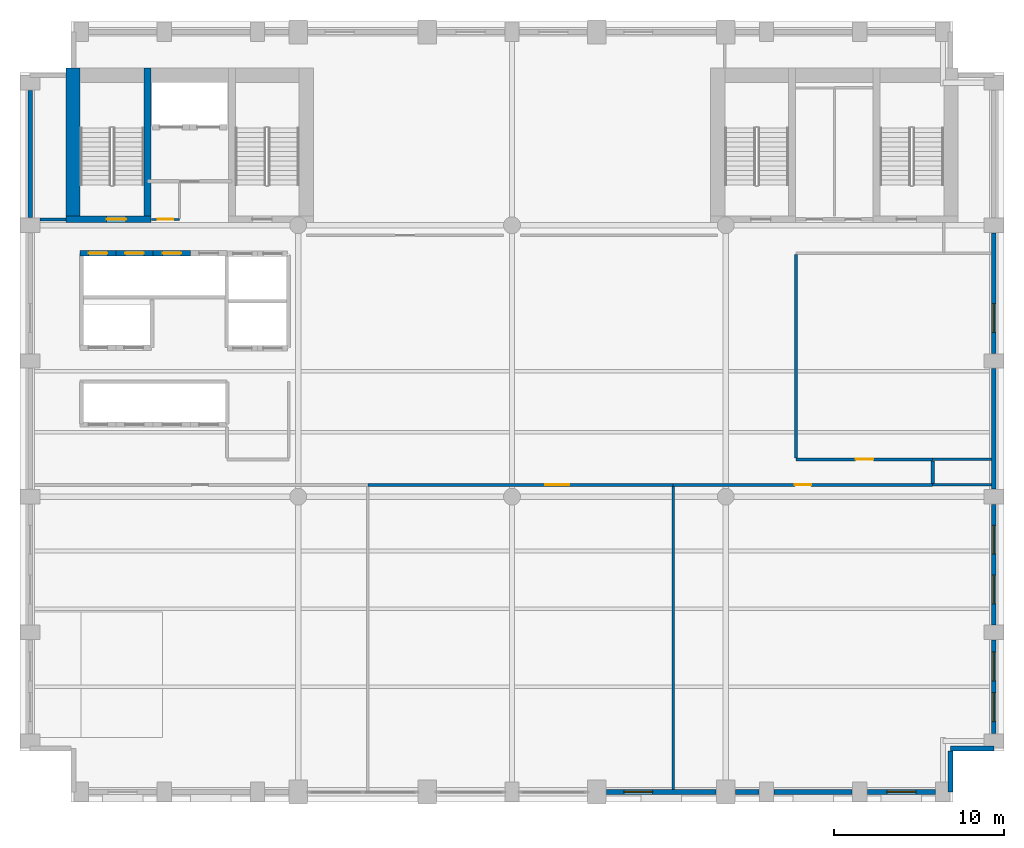
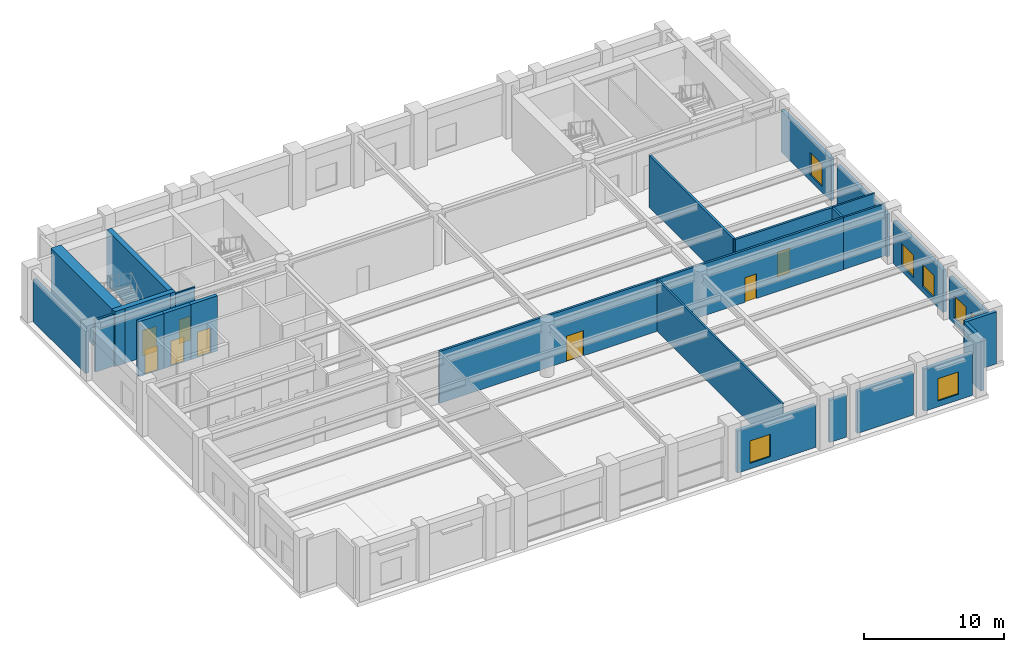
# One storey, part 5 of 10: 27 walls, 8 doors, 7 windows, 15 openings.
"""IFC4 building model written with IfcOpenShell, lengths in metres."""

import ifcopenshell
import ifcopenshell.guid

model = None  # the IFC model being written
_history = None  # IfcOwnerHistory: only IFC2X3 demands one
_inside = {}  # id of a spatial element -> (the spatial element, [elements in it])
_under = {}  # id of a project, library or spatial element -> (it, [spatial elements below it])
_declared = {}  # id of a project -> (the project, [libraries it declares])
_typed = {}  # id of a type object -> (the type object, [elements of that type])
_made_of = {}  # id of a material, layer set ... -> (it, [elements and type objects made of it])


def new_model(schema):
    """Start an empty IFC model of exactly this schema.

    Asked for "IFC4X3", IfcOpenShell would pick the latest addendum, in which some entities
    have other attributes; the version numbers below select the first issue.
    IFC2X3 requires an IfcOwnerHistory on every rooted entity: one is made here for all.
    """
    global model, _history
    if schema == "IFC4X3":
        model = ifcopenshell.file(schema_version=(4, 3, 0, 0))
    else:
        model = ifcopenshell.file(schema=schema)
    _inside.clear()
    _under.clear()
    _declared.clear()
    _typed.clear()
    _made_of.clear()
    _history = None
    if model.schema == "IFC2X3":
        org = make("IfcOrganization", Name="unknown")
        user = make(
            "IfcPersonAndOrganization",
            ThePerson=make("IfcPerson", FamilyName="unknown"),
            TheOrganization=org,
        )
        app = make(
            "IfcApplication",
            ApplicationDeveloper=org,
            Version="unknown",
            ApplicationFullName="unknown",
            ApplicationIdentifier="unknown",
        )
        _history = make(
            "IfcOwnerHistory",
            OwningUser=user,
            OwningApplication=app,
            ChangeAction="ADDED",
            CreationDate=0,
        )
    return model


def make(cls, **values):
    """One entity of the class cls with the attributes given. An attribute that is None is left unset."""
    return model.create_entity(
        cls, **{name: value for name, value in values.items() if value is not None}
    )


def rooted(cls, **values):
    """An entity with a GlobalId (a new one), such as an element, a storey or a relation."""
    return make(cls, GlobalId=ifcopenshell.guid.new(), OwnerHistory=_history, **values)


def si_unit(unit_type, name, prefix=None):
    """IfcSIUnit, for example si_unit("LENGTHUNIT", "METRE", prefix="MILLI")."""
    return make("IfcSIUnit", UnitType=unit_type, Prefix=prefix, Name=name)


def assignment(units):
    """IfcUnitAssignment: the units of a project."""
    return None if units is None else make("IfcUnitAssignment", Units=units)


def point(xyz):
    """IfcCartesianPoint."""
    return None if xyz is None else make("IfcCartesianPoint", Coordinates=xyz)


def direction(xyz):
    """IfcDirection."""
    return None if xyz is None else make("IfcDirection", DirectionRatios=xyz)


def frame(location, z_axis=None, x_axis=None):
    """IfcAxis2Placement3D, a coordinate frame: its origin and axes. An axis left out is left unset."""
    return make(
        "IfcAxis2Placement3D",
        Location=point(location),
        Axis=direction(z_axis),
        RefDirection=direction(x_axis),
    )


def frame_2d(location, x_axis=None):
    """IfcAxis2Placement2D, a coordinate frame in the plane: its origin and x axis."""
    return make(
        "IfcAxis2Placement2D", Location=point(location), RefDirection=direction(x_axis)
    )


def origin():
    """The frame at (0, 0, 0) with its axes left unset."""
    return frame((0.0, 0.0, 0.0))


def place(relative_to, where):
    """IfcLocalPlacement: puts the frame where relative to a parent placement (None: the world)."""
    return make(
        "IfcLocalPlacement", PlacementRelTo=relative_to, RelativePlacement=where
    )


def context(
    kind, dimensions, precision=None, world=None, true_north=None, identifier=None
):
    """IfcGeometricRepresentationContext, for example the 3D "Model" context."""
    return make(
        "IfcGeometricRepresentationContext",
        ContextIdentifier=identifier,
        ContextType=kind,
        CoordinateSpaceDimension=dimensions,
        Precision=precision,
        WorldCoordinateSystem=world,
        TrueNorth=true_north,
    )


def subcontext(parent, identifier, kind, view, scale=None):
    """IfcGeometricRepresentationSubContext, for example "Body" below "Model"."""
    return make(
        "IfcGeometricRepresentationSubContext",
        ContextIdentifier=identifier,
        ContextType=kind,
        ParentContext=parent,
        TargetScale=scale,
        TargetView=view,
    )


def project(units=None, contexts=None):
    """IfcProject with its units and contexts."""
    return rooted(
        "IfcProject",
        Name="project",
        RepresentationContexts=contexts,
        UnitsInContext=assignment(units),
    )


def spatial(cls, under=None, at=None, **own):
    """A site, building, storey or space (cls), placed at a placement, below another one or the project."""
    s = rooted(cls, ObjectPlacement=at, **own)
    if under is not None:
        _under.setdefault(under.id(), (under, []))[1].append(s)
    return s


def profile(cls, at=None, kind="AREA", **sizes):
    """A parametric profile (cls). Its sizes go by their IFC names, for example OverallWidth=200.0."""
    return make(cls, ProfileType=kind, Position=at, **sizes)


def rectangle(**sizes):
    """IfcRectangleProfileDef."""
    return profile("IfcRectangleProfileDef", **sizes)


def extrude(swept, where, along, depth):
    """IfcExtrudedAreaSolid: the profile swept, set in the frame where, extruded along a direction by depth."""
    return make(
        "IfcExtrudedAreaSolid",
        SweptArea=swept,
        Position=where,
        ExtrudedDirection=direction(along),
        Depth=depth,
    )


def shape(context_of_items, identifier, shape_type, items):
    """IfcShapeRepresentation: the items that make up one representation, for example the "Body"."""
    return make(
        "IfcShapeRepresentation",
        ContextOfItems=context_of_items,
        RepresentationIdentifier=identifier,
        RepresentationType=shape_type,
        Items=items,
    )


def material(Name=None, Category=None):
    """IfcMaterial."""
    return make("IfcMaterial", Name=Name, Category=Category)


def layer(
    of_material, thickness, ventilated=None, Name=None, Category=None, Priority=None
):
    """IfcMaterialLayer: one layer of a wall or slab, of a material (None: an air gap)."""
    return make(
        "IfcMaterialLayer",
        Material=of_material,
        LayerThickness=thickness,
        IsVentilated=ventilated,
        Name=Name,
        Category=Category,
        Priority=Priority,
    )


def layer_set(layers, Name=None):
    """IfcMaterialLayerSet."""
    return make("IfcMaterialLayerSet", MaterialLayers=layers, LayerSetName=Name)


def made_of(thing, what):
    """Note that an element or type object is made of a material, layer set ...; save() writes the relation."""
    if what is not None:
        _made_of.setdefault(what.id(), (what, []))[1].append(thing)
    return thing


def type_object(cls, material=None, **own):
    """A type object (cls), such as IfcWallType, which elements share."""
    return made_of(rooted(cls, **own), material)


def element(
    cls,
    number,
    at=None,
    inside=None,
    cuts=None,
    type_object=None,
    material=None,
    context=None,
    identifier="Body",
    shape_type=None,
    held_by="IfcProductDefinitionShape",
    body=None,
    shapes=None,
    **own,
):
    """One element of the class cls, such as IfcWall. Its Tag is "e" and its number.

    at: its placement. inside: the storey or other place that contains it. cuts: it is an
    opening in that element (IfcRelVoidsElement). A single representation is given by context,
    identifier, shape_type and body (its items); several are given by shapes. held_by: the class
    of the entity that holds the representations. save() writes the other relations.
    """
    e = rooted(cls, Tag="e%d" % number, ObjectPlacement=at, **own)
    if body is not None:
        shapes = [shape(context, identifier, shape_type, body)]
    if shapes is not None:
        e.Representation = make(held_by, Representations=shapes)
    if inside is not None:
        _inside.setdefault(inside.id(), (inside, []))[1].append(e)
    if cuts is not None:
        rooted(
            "IfcRelVoidsElement", RelatingBuildingElement=cuts, RelatedOpeningElement=e
        )
    if type_object is not None:
        _typed.setdefault(type_object.id(), (type_object, []))[1].append(e)
    return made_of(e, material)


def fill(opening, filler):
    """IfcRelFillsElement: the door or window that sits in an opening."""
    return rooted(
        "IfcRelFillsElement",
        RelatingOpeningElement=opening,
        RelatedBuildingElement=filler,
    )


def aggregate(whole, parts):
    """IfcRelAggregates: a whole, such as a stair, and the parts it consists of."""
    return rooted("IfcRelAggregates", RelatingObject=whole, RelatedObjects=parts)


def save(model, path):
    """Write the relations noted so far, then the file.

    IfcRelAggregates (storeys below a building ...), IfcRelContainedInSpatialStructure (elements
    in a storey), IfcRelDefinesByType, IfcRelAssociatesMaterial and IfcRelDeclares: one each for
    every whole, place, type object, material and project.
    """
    for whole, parts in _under.values():
        aggregate(whole, parts)
    for where, things in _inside.values():
        rooted(
            "IfcRelContainedInSpatialStructure",
            RelatedElements=things,
            RelatingStructure=where,
        )
    for kind, things in _typed.values():
        rooted("IfcRelDefinesByType", RelatedObjects=things, RelatingType=kind)
    for what, things in _made_of.values():
        rooted("IfcRelAssociatesMaterial", RelatedObjects=things, RelatingMaterial=what)
    for by, libraries in _declared.values():
        rooted("IfcRelDeclares", RelatingContext=by, RelatedDefinitions=libraries)
    model.write(path)


model = new_model("IFC4")

# Units and contexts
model_context = context("Model", 3, precision=1e-05, world=origin(), true_north=direction((0.0, 1.0)))
body_context = subcontext(model_context, "Body", "Model", "MODEL_VIEW")
ifc_project = project(units=[si_unit("LENGTHUNIT", "METRE"), si_unit("AREAUNIT", "SQUARE_METRE"), si_unit("VOLUMEUNIT", "CUBIC_METRE"), si_unit("PLANEANGLEUNIT", "RADIAN"), si_unit("MASSUNIT", "GRAM", prefix="KILO")], contexts=[model_context])

# Site, building, storey
site_placement = place(None, origin())
site = spatial("IfcSite", under=ifc_project, at=site_placement, CompositionType="ELEMENT")
building_placement = place(site_placement, origin())
building = spatial("IfcBuilding", under=site, at=building_placement, Name="Sulina Concourse Tower", CompositionType="ELEMENT")
storey_placement = place(building_placement, frame((0.0, 0.0, 87.800048828125)))
storey = spatial("IfcBuildingStorey", under=building, at=storey_placement, Name="L21", CompositionType="ELEMENT", Elevation=87.800048828125)

# Wall, opening, door
ifc_material_1 = material(Name="Concrete C50/60", Category="concrete")
ifc_layer_1 = layer(ifc_material_1, 0.300048828125)
ifc_layer_set_1 = layer_set([ifc_layer_1], Name="Concrete C50/60")
wall_type_1 = type_object("IfcWallType", Name="Core Lift Hoistway Wall 300mm", PredefinedType="SOLIDWALL", material=ifc_layer_set_1)
wall_1_placement = place(storey_placement, frame((3.550048828125, 32.35009765625, 0.0), z_axis=(0.0, 0.0, 1.0), x_axis=(1.0, 0.0, 0.0)))
wall_1 = element("IfcWall", 1, at=wall_1_placement, inside=storey, type_object=wall_type_1, Name="L21 hoistway enclosure wall LP-09", PredefinedType="SOLIDWALL", context=body_context, shape_type="SweptSolid", body=[
    extrude(rectangle(XDim=2.099853515625, YDim=0.300048828125, at=frame_2d((1.0498046875, 0.0))), origin(), (0.0, 0.0, 1.0), 4.800048828125),
])
opening_1_placement = place(wall_1_placement, frame((0.5, 0.0, 0.0)))
opening_1 = element("IfcOpeningElement", 2, at=opening_1_placement, cuts=wall_1, Name="Opening LD-01", PredefinedType="OPENING", context=body_context, shape_type="SweptSolid", body=[
    extrude(rectangle(XDim=1.10009765625, YDim=2.199951171875, at=frame_2d((0.550048828125, 1.10009765625))), frame((0.0, 0.159912109375, 0.0), z_axis=(0.0, -1.0, 0.0), x_axis=(1.0, 0.0, 0.0)), (0.0, 0.0, 1.0), 0.320068359375),
])
ifc_material_2 = material(Name="Stainless steel lift landing door", Category="steel")
ifc_layer_2 = layer(ifc_material_2, 0.050048828125)
ifc_layer_set_2 = layer_set([ifc_layer_2], Name="Stainless steel lift landing door")
door_type_1 = type_object("IfcDoorType", Name="Passenger Lift Sliding Landing Door 1100x2200", OperationType="SLIDING_TO_LEFT", PredefinedType="DOOR", material=ifc_layer_set_2)
door_1_placement = place(opening_1_placement, origin())
door_1 = element("IfcDoor", 3, at=door_1_placement, inside=storey, type_object=door_type_1, Name="L21 lift landing sliding door LP-09", OperationType="SLIDING_TO_LEFT", OverallHeight=2.199951171875, OverallWidth=1.10009765625, PredefinedType="DOOR", context=body_context, shape_type="SweptSolid", body=[
    extrude(rectangle(XDim=1.10009765625, YDim=2.199951171875, at=frame_2d((0.550048828125, 1.10009765625))), frame((0.0, 0.02490234375, 0.0), z_axis=(0.0, -1.0, 0.0), x_axis=(1.0, 0.0, 0.0)), (0.0, 0.0, 1.0), 0.050048828125),
])
fill(opening_1, door_1)

wall_2_placement = place(storey_placement, frame((5.64990234375, 32.35009765625, 0.0), z_axis=(0.0, 0.0, 1.0), x_axis=(1.0, 0.0, 0.0)))
wall_2 = element("IfcWall", 4, at=wall_2_placement, inside=storey, type_object=wall_type_1, Name="L21 hoistway enclosure wall LP-10", PredefinedType="SOLIDWALL", context=body_context, shape_type="SweptSolid", body=[
    extrude(rectangle(XDim=2.2001953125, YDim=0.300048828125, at=frame_2d((1.10009765625, 0.0))), origin(), (0.0, 0.0, 1.0), 4.800048828125),
])
opening_2_placement = place(wall_2_placement, frame((0.550048828125, 0.0, 0.0)))
opening_2 = element("IfcOpeningElement", 5, at=opening_2_placement, cuts=wall_2, Name="Opening LD-01", PredefinedType="OPENING", context=body_context, shape_type="SweptSolid", body=[
    extrude(rectangle(XDim=1.10009765625, YDim=2.199951171875, at=frame_2d((0.550048828125, 1.10009765625))), frame((0.0, 0.159912109375, 0.0), z_axis=(0.0, -1.0, 0.0), x_axis=(1.0, 0.0, 0.0)), (0.0, 0.0, 1.0), 0.320068359375),
])
door_2_placement = place(opening_2_placement, origin())
door_2 = element("IfcDoor", 6, at=door_2_placement, inside=storey, type_object=door_type_1, Name="L21 lift landing sliding door LP-10", OperationType="SLIDING_TO_RIGHT", OverallHeight=2.199951171875, OverallWidth=1.10009765625, PredefinedType="DOOR", context=body_context, shape_type="SweptSolid", body=[
    extrude(rectangle(XDim=1.10009765625, YDim=2.199951171875, at=frame_2d((0.550048828125, 1.10009765625))), frame((0.0, 0.02490234375, 0.0), z_axis=(0.0, -1.0, 0.0), x_axis=(1.0, 0.0, 0.0)), (0.0, 0.0, 1.0), 0.050048828125),
])
fill(opening_2, door_2)

wall_3_placement = place(storey_placement, frame((7.85009765625, 32.35009765625, 0.0), z_axis=(0.0, 0.0, 1.0), x_axis=(1.0, 0.0, 0.0)))
wall_3 = element("IfcWall", 7, at=wall_3_placement, inside=storey, type_object=wall_type_1, Name="L21 hoistway enclosure wall LP-11", PredefinedType="SOLIDWALL", context=body_context, shape_type="SweptSolid", body=[
    extrude(rectangle(XDim=2.199951171875, YDim=0.300048828125, at=frame_2d((1.10009765625, 0.0))), origin(), (0.0, 0.0, 1.0), 4.800048828125),
])
opening_3_placement = place(wall_3_placement, frame((0.550048828125, 0.0, 0.0)))
opening_3 = element("IfcOpeningElement", 8, at=opening_3_placement, cuts=wall_3, Name="Opening LD-01", PredefinedType="OPENING", context=body_context, shape_type="SweptSolid", body=[
    extrude(rectangle(XDim=1.10009765625, YDim=2.199951171875, at=frame_2d((0.550048828125, 1.10009765625))), frame((0.0, 0.159912109375, 0.0), z_axis=(0.0, -1.0, 0.0), x_axis=(1.0, 0.0, 0.0)), (0.0, 0.0, 1.0), 0.320068359375),
])
door_3_placement = place(opening_3_placement, origin())
door_3 = element("IfcDoor", 9, at=door_3_placement, inside=storey, type_object=door_type_1, Name="L21 lift landing sliding door LP-11", OperationType="SLIDING_TO_LEFT", OverallHeight=2.199951171875, OverallWidth=1.10009765625, PredefinedType="DOOR", context=body_context, shape_type="SweptSolid", body=[
    extrude(rectangle(XDim=1.10009765625, YDim=2.199951171875, at=frame_2d((0.550048828125, 1.10009765625))), frame((0.0, 0.02490234375, 0.0), z_axis=(0.0, -1.0, 0.0), x_axis=(1.0, 0.0, 0.0)), (0.0, 0.0, 1.0), 0.050048828125),
])
fill(opening_3, door_3)

# Walls
ifc_material_3 = material(Name="Gypsum board on steel stud", Category="steel")
ifc_layer_3 = layer(ifc_material_3, 0.14990234375)
ifc_layer_set_3 = layer_set([ifc_layer_3], Name="Gypsum board on steel stud")
wall_type_2 = type_object("IfcWallType", Name="Inter-Tenancy Acoustic Partition 150mm", PredefinedType="PARTITIONING", material=ifc_layer_set_3)
for number, where, z_axis, x_axis, name in (
    (10, (53.800048828125, 18.699951171875, 0.0), (0.0, 0.0, 1.0), (1.0, 0.0, 0.0), "L21 interior partition 004"),
    (11, (53.800048828125, 20.199951171875, 0.0), (0.0, 0.0, 1.0), (1.0, 0.0, 0.0), "L21 interior partition 007"),
):
    element("IfcWall", number, at=place(storey_placement, frame(where, z_axis=z_axis, x_axis=x_axis)), inside=storey, type_object=wall_type_2, Name=name, PredefinedType="PARTITIONING", context=body_context, shape_type="SweptSolid", body=[
        extrude(rectangle(XDim=3.4599609375, YDim=0.14990234375, at=frame_2d((1.72998046875, 0.0))), origin(), (0.0, 0.0, 1.0), 4.52490234375),
    ])
wall_4_placement = place(storey_placement, frame((38.5, 0.739990234375, 0.0), z_axis=(0.0, 0.0, 1.0), x_axis=(0.0, 1.0, 0.0)))
element("IfcWall", 12, at=wall_4_placement, inside=storey, type_object=wall_type_2, Name="L21 interior partition 020", PredefinedType="PARTITIONING", context=body_context, shape_type="SweptSolid", body=[
    extrude(rectangle(XDim=17.8701171875, YDim=0.14990234375, at=frame_2d((8.93505859375, 0.0))), origin(), (0.0, 0.0, 1.0), 4.52490234375),
])

# Wall, opening, door
ifc_material_4 = material(Name="Gypsum board on steel stud", Category="steel")
ifc_layer_4 = layer(ifc_material_4, 0.179931640625)
ifc_layer_set_4 = layer_set([ifc_layer_4], Name="Gypsum board on steel stud")
wall_type_3 = type_object("IfcWallType", Name="Protected Corridor & Riser Partition 180mm", PredefinedType="PARTITIONING", material=ifc_layer_set_4)
wall_5_placement = place(storey_placement, frame((20.5, 18.699951171875, 0.0), z_axis=(0.0, 0.0, 1.0), x_axis=(1.0, 0.0, 0.0)))
wall_5 = element("IfcWall", 13, at=wall_5_placement, inside=storey, type_object=wall_type_3, Name="L21 interior partition 002", PredefinedType="PARTITIONING", context=body_context, shape_type="SweptSolid", body=[
    extrude(rectangle(XDim=18.0, YDim=0.179931640625, at=frame_2d((9.0, 0.0))), origin(), (0.0, 0.0, 1.0), 4.52490234375),
])
opening_4_placement = place(wall_5_placement, frame((10.4599609375, 0.0, 0.0)))
opening_4 = element("IfcOpeningElement", 14, at=opening_4_placement, cuts=wall_5, Name="Opening DR-57", PredefinedType="OPENING", context=body_context, shape_type="SweptSolid", body=[
    extrude(rectangle(XDim=1.39990234375, YDim=2.199951171875, at=frame_2d((0.699951171875, 1.10009765625))), frame((0.0, 0.099853515625, 0.0), z_axis=(0.0, -1.0, 0.0), x_axis=(1.0, 0.0, 0.0)), (0.0, 0.0, 1.0), 0.199951171875),
])
ifc_material_5 = material(Name="Oak-veneered fire door leaf")
ifc_layer_5 = layer(ifc_material_5, 0.054931640625)
ifc_layer_set_5 = layer_set([ifc_layer_5], Name="Oak-veneered fire door leaf")
door_type_2 = type_object("IfcDoorType", Name="Core Lift Lobby Double Fire Door 1400x2200", OperationType="DOUBLE_DOOR_SINGLE_SWING", PredefinedType="DOOR", material=ifc_layer_set_5)
door_4_placement = place(opening_4_placement, origin())
door_4 = element("IfcDoor", 15, at=door_4_placement, inside=storey, type_object=door_type_2, Name="L21 interior door L21-CONF-SL", OperationType="DOUBLE_DOOR_SINGLE_SWING", OverallHeight=2.199951171875, OverallWidth=1.39990234375, PredefinedType="DOOR", context=body_context, shape_type="SweptSolid", body=[
    extrude(rectangle(XDim=1.39990234375, YDim=2.199951171875, at=frame_2d((0.699951171875, 1.10009765625))), frame((0.0, 0.02490234375, 0.0), z_axis=(0.0, -1.0, 0.0), x_axis=(1.0, 0.0, 0.0)), (0.0, 0.0, 1.0), 0.050048828125),
])
fill(opening_4, door_4)

wall_6_placement = place(storey_placement, frame((38.5, 18.699951171875, 0.0), z_axis=(0.0, 0.0, 1.0), x_axis=(1.0, 0.0, 0.0)))
wall_6 = element("IfcWall", 16, at=wall_6_placement, inside=storey, type_object=wall_type_3, Name="L21 interior partition 003", PredefinedType="PARTITIONING", context=body_context, shape_type="SweptSolid", body=[
    extrude(rectangle(XDim=15.300048828125, YDim=0.179931640625, at=frame_2d((7.64990234375, 0.0))), origin(), (0.0, 0.0, 1.0), 4.52490234375),
])
opening_5_placement = place(wall_6_placement, frame((7.175048828125, 0.0, 0.0)))
opening_5 = element("IfcOpeningElement", 17, at=opening_5_placement, cuts=wall_6, Name="Opening DR-19", PredefinedType="OPENING", context=body_context, shape_type="SweptSolid", body=[
    extrude(rectangle(XDim=0.949951171875, YDim=2.14990234375, at=frame_2d((0.47509765625, 1.074951171875))), frame((0.0, 0.099853515625, 0.0), z_axis=(0.0, -1.0, 0.0), x_axis=(1.0, 0.0, 0.0)), (0.0, 0.0, 1.0), 0.199951171875),
])
ifc_material_6 = material(Name="Oak-veneered acoustic timber leaf", Category="wood")
ifc_layer_6 = layer(ifc_material_6, 0.050048828125)
ifc_layer_set_6 = layer_set([ifc_layer_6], Name="Oak-veneered acoustic timber leaf")
door_type_3 = type_object("IfcDoorType", Name="Cellular Office & Meeting Door 950x2150", OperationType="NOTDEFINED", PredefinedType="DOOR", material=ifc_layer_set_6)
door_5_placement = place(opening_5_placement, origin())
door_5 = element("IfcDoor", 18, at=door_5_placement, inside=storey, type_object=door_type_3, Name="L21 interior door L21-OFF-SL", OperationType="SINGLE_SWING_LEFT", OverallHeight=2.14990234375, OverallWidth=0.949951171875, PredefinedType="DOOR", context=body_context, shape_type="SweptSolid", body=[
    extrude(rectangle(XDim=0.949951171875, YDim=2.14990234375, at=frame_2d((0.47509765625, 1.074951171875))), frame((0.0, 0.02490234375, 0.0), z_axis=(0.0, -1.0, 0.0), x_axis=(1.0, 0.0, 0.0)), (0.0, 0.0, 1.0), 0.050048828125),
])
fill(opening_5, door_5)

wall_7_placement = place(storey_placement, frame((45.75, 20.199951171875, 0.0), z_axis=(0.0, 0.0, 1.0), x_axis=(1.0, 0.0, 0.0)))
wall_7 = element("IfcWall", 19, at=wall_7_placement, inside=storey, type_object=wall_type_3, Name="L21 interior partition 006", PredefinedType="PARTITIONING", context=body_context, shape_type="SweptSolid", body=[
    extrude(rectangle(XDim=8.050048828125, YDim=0.179931640625, at=frame_2d((4.02490234375, 0.0))), origin(), (0.0, 0.0, 1.0), 4.52490234375),
])
opening_6_placement = place(wall_7_placement, frame((3.5, 0.0, 0.0)))
opening_6 = element("IfcOpeningElement", 20, at=opening_6_placement, cuts=wall_7, Name="Opening DR-37", PredefinedType="OPENING", context=body_context, shape_type="SweptSolid", body=[
    extrude(rectangle(XDim=1.050048828125, YDim=2.14990234375, at=frame_2d((0.52490234375, 1.074951171875))), frame((0.0, 0.099853515625, 0.0), z_axis=(0.0, -1.0, 0.0), x_axis=(1.0, 0.0, 0.0)), (0.0, 0.0, 1.0), 0.199951171875),
])
ifc_material_7 = material(Name="Oak-veneered fire door leaf")
ifc_layer_7 = layer(ifc_material_7, 0.050048828125)
ifc_layer_set_7 = layer_set([ifc_layer_7], Name="Oak-veneered fire door leaf")
door_type_4 = type_object("IfcDoorType", Name="Tenant Suite Entrance Fire Door 1050x2150", OperationType="NOTDEFINED", PredefinedType="DOOR", material=ifc_layer_set_7)
door_6_placement = place(opening_6_placement, origin())
door_6 = element("IfcDoor", 21, at=door_6_placement, inside=storey, type_object=door_type_4, Name="L21 interior door L21-PNT-SL", OperationType="SINGLE_SWING_RIGHT", OverallHeight=2.14990234375, OverallWidth=1.050048828125, PredefinedType="DOOR", context=body_context, shape_type="SweptSolid", body=[
    extrude(rectangle(XDim=1.050048828125, YDim=2.14990234375, at=frame_2d((0.52490234375, 1.074951171875))), frame((0.0, 0.02490234375, 0.0), z_axis=(0.0, -1.0, 0.0), x_axis=(1.0, 0.0, 0.0)), (0.0, 0.0, 1.0), 0.050048828125),
])
fill(opening_6, door_6)

# Walls
wall_8_placement = place(storey_placement, frame((1.175048828125, 34.35009765625, 0.0), z_axis=(0.0, 0.0, 1.0), x_axis=(1.0, 0.0, 0.0)))
element("IfcWall", 22, at=wall_8_placement, inside=storey, type_object=wall_type_3, Name="L21 interior partition 012", PredefinedType="PARTITIONING", context=body_context, shape_type="SweptSolid", body=[
    extrude(rectangle(XDim=1.52490234375, YDim=0.179931640625, at=frame_2d((0.762451171875, 0.0))), origin(), (0.0, 0.0, 1.0), 4.52490234375),
])
wall_9_placement = place(storey_placement, frame((45.75, 20.2900390625, 0.0), z_axis=(0.0, 0.0, 1.0), x_axis=(0.0, 1.0, 0.0)))
element("IfcWall", 23, at=wall_9_placement, inside=storey, type_object=wall_type_3, Name="L21 interior partition 022", PredefinedType="PARTITIONING", context=body_context, shape_type="SweptSolid", body=[
    extrude(rectangle(XDim=11.98486328125, YDim=0.179931640625, at=frame_2d((5.992431640625, 0.0))), origin(), (0.0, 0.0, 1.0), 4.52490234375),
])
wall_10_placement = place(storey_placement, frame((53.800048828125, 18.7900390625, 0.0), z_axis=(0.0, 0.0, 1.0), x_axis=(0.0, 1.0, 0.0)))
element("IfcWall", 24, at=wall_10_placement, inside=storey, type_object=wall_type_3, Name="L21 interior partition 024", PredefinedType="PARTITIONING", context=body_context, shape_type="SweptSolid", body=[
    extrude(rectangle(XDim=1.320068359375, YDim=0.179931640625, at=frame_2d((0.66015625, 0.0))), origin(), (0.0, 0.0, 1.0), 4.52490234375),
])

# Wall, opening, door
ifc_material_8 = material(Name="Concrete C60/75", Category="concrete")
ifc_layer_8 = layer(ifc_material_8, 0.39990234375)
ifc_layer_set_8 = layer_set([ifc_layer_8], Name="Concrete C60/75")
wall_type_4 = type_object("IfcWallType", Name="Protected Stair Core Shear Wall 400mm", PredefinedType="SHEAR", material=ifc_layer_set_8)
wall_11_placement = place(storey_placement, frame((2.699951171875, 34.35009765625, 0.0), z_axis=(0.0, 0.0, 1.0), x_axis=(1.0, 0.0, 0.0)))
wall_11 = element("IfcWall", 25, at=wall_11_placement, inside=storey, type_object=wall_type_4, Name="L21 west core shear wall CW-WS1", PredefinedType="SHEAR", context=body_context, shape_type="SweptSolid", body=[
    extrude(rectangle(XDim=5.010009765625, YDim=0.39990234375, at=frame_2d((2.5048828125, 0.0))), origin(), (0.0, 0.0, 1.0), 4.800048828125),
])
opening_7_placement = place(wall_11_placement, frame((2.39990234375, 0.0, 0.0)))
opening_7 = element("IfcOpeningElement", 26, at=opening_7_placement, cuts=wall_11, Name="Opening DR-60", PredefinedType="OPENING", context=body_context, shape_type="SweptSolid", body=[
    extrude(rectangle(XDim=1.14990234375, YDim=2.199951171875, at=frame_2d((0.574951171875, 1.10009765625))), frame((0.0, 0.2099609375, 0.0), z_axis=(0.0, -1.0, 0.0), x_axis=(1.0, 0.0, 0.0)), (0.0, 0.0, 1.0), 0.419921875),
])
ifc_material_9 = material(Name="Galvanised steel acoustic fire leaf", Category="steel")
ifc_layer_9 = layer(ifc_material_9, 0.054931640625)
ifc_layer_set_9 = layer_set([ifc_layer_9], Name="Galvanised steel acoustic fire leaf")
door_type_5 = type_object("IfcDoorType", Name="Protected Exit Stair Fire Door 1150x2200", OperationType="NOTDEFINED", PredefinedType="DOOR", material=ifc_layer_set_9)
door_7_placement = place(opening_7_placement, origin())
door_7 = element("IfcDoor", 27, at=door_7_placement, inside=storey, type_object=door_type_5, Name="L21 stair ST-1 lobby fire door", OperationType="SINGLE_SWING_RIGHT", OverallHeight=2.199951171875, OverallWidth=1.14990234375, PredefinedType="DOOR", context=body_context, shape_type="SweptSolid", body=[
    extrude(rectangle(XDim=1.14990234375, YDim=2.199951171875, at=frame_2d((0.574951171875, 1.10009765625))), frame((0.0, 0.02490234375, 0.0), z_axis=(0.0, -1.0, 0.0), x_axis=(1.0, 0.0, 0.0)), (0.0, 0.0, 1.0), 0.050048828125),
])
fill(opening_7, door_7)

# Walls
wall_12_placement = place(storey_placement, frame((7.510009765625, 34.14990234375, 0.0), z_axis=(0.0, 0.0, 1.0), x_axis=(0.0, 1.0, 0.0)))
element("IfcWall", 28, at=wall_12_placement, inside=storey, type_object=wall_type_4, Name="L21 west core shear wall SW-ST1", PredefinedType="SHEAR", context=body_context, shape_type="SweptSolid", body=[
    extrude(rectangle(XDim=9.130126953125, YDim=0.39990234375, at=frame_2d((4.56494140625, 0.0))), origin(), (0.0, 0.0, 1.0), 4.800048828125),
])
ifc_material_10 = material(Name="Concrete C60/75", Category="concrete")
ifc_layer_10 = layer(ifc_material_10, 0.85009765625)
ifc_layer_set_10 = layer_set([ifc_layer_10], Name="Concrete C60/75")
wall_type_5 = type_object("IfcWallType", Name="Rear Core Shear Wall 850mm", PredefinedType="SHEAR", material=ifc_layer_set_10)
wall_13_placement = place(storey_placement, frame((3.125, 34.14990234375, 0.0), z_axis=(0.0, 0.0, 1.0), x_axis=(0.0, 1.0, 0.0)))
element("IfcWall", 29, at=wall_13_placement, inside=storey, type_object=wall_type_5, Name="L21 west core shear wall CW-WW", PredefinedType="SHEAR", context=body_context, shape_type="SweptSolid", body=[
    extrude(rectangle(XDim=9.130126953125, YDim=0.85009765625, at=frame_2d((4.56494140625, 0.0))), origin(), (0.0, 0.0, 1.0), 4.800048828125),
])

# Wall, opening, window
ifc_material_11 = material(Name="Precast concrete C50/60", Category="concrete")
ifc_layer_11 = layer(ifc_material_11, 0.280029296875)
ifc_layer_set_11 = layer_set([ifc_layer_11], Name="Precast concrete C50/60")
wall_type_6 = type_object("IfcWallType", Name="Typical Precast Masonry-Frame Facade Wall 280mm", PredefinedType="SOLIDWALL", material=ifc_layer_set_11)
wall_14_placement = place(storey_placement, frame((41.030029296875, 0.60009765625, 0.0), z_axis=(0.0, 0.0, 1.0), x_axis=(-1.0, 0.0, 0.0)))
wall_14 = element("IfcWall", 30, at=wall_14_placement, inside=storey, type_object=wall_type_6, Name="L21 exterior precast wall S7", PredefinedType="SOLIDWALL", context=body_context, shape_type="SweptSolid", body=[
    extrude(rectangle(XDim=6.4599609375, YDim=0.280029296875, at=frame_2d((3.22998046875, 0.0))), origin(), (0.0, 0.0, 1.0), 3.675048828125),
])
opening_8_placement = place(wall_14_placement, frame((3.739990234375, 0.0, 0.5)))
opening_8 = element("IfcOpeningElement", 31, at=opening_8_placement, cuts=wall_14, Name="Opening WN-66", PredefinedType="OPENING", context=body_context, shape_type="SweptSolid", body=[
    extrude(rectangle(XDim=1.699951171875, YDim=1.949951171875, at=frame_2d((0.85009765625, 0.97509765625))), frame((0.0, 0.14990234375, 0.0), z_axis=(0.0, -1.0, 0.0), x_axis=(1.0, 0.0, 0.0)), (0.0, 0.0, 1.0), 0.300048828125),
])
ifc_material_12 = material(Name="Low-E solar double glazing in bronze aluminium", Category="aluminium")
window_type = type_object("IfcWindowType", Name="Recessed Spandrel Window 1700x1950", PartitioningType="SINGLE_PANEL", PredefinedType="WINDOW", material=ifc_material_12)
window_1_placement = place(opening_8_placement, origin())
window_1 = element("IfcWindow", 32, at=window_1_placement, inside=storey, type_object=window_type, Name="L21 punched window S7-1", OverallHeight=1.949951171875, OverallWidth=1.699951171875, PartitioningType="SINGLE_PANEL", PredefinedType="WINDOW", context=body_context, shape_type="SweptSolid", body=[
    extrude(rectangle(XDim=1.699951171875, YDim=1.949951171875, at=frame_2d((0.85009765625, 0.97509765625))), frame((0.0, 0.030029296875, 0.0), z_axis=(0.0, -1.0, 0.0), x_axis=(1.0, 0.0, 0.0)), (0.0, 0.0, 1.0), 0.06005859375),
])
fill(opening_8, window_1)

# Walls
wall_15_placement = place(storey_placement, frame((43.554931640625, 0.60009765625, 0.0), z_axis=(0.0, 0.0, 1.0), x_axis=(-1.0, 0.0, 0.0)))
element("IfcWall", 33, at=wall_15_placement, inside=storey, type_object=wall_type_6, Name="L21 exterior precast wall S8", PredefinedType="SOLIDWALL", context=body_context, shape_type="SweptSolid", body=[
    extrude(rectangle(XDim=1.385009765625, YDim=0.280029296875, at=frame_2d((0.6923828125, 0.0))), origin(), (0.0, 0.0, 1.0), 3.675048828125),
])
wall_16_placement = place(storey_placement, frame((49.054931640625, 0.60009765625, 0.0), z_axis=(0.0, 0.0, 1.0), x_axis=(-1.0, 0.0, 0.0)))
element("IfcWall", 34, at=wall_16_placement, inside=storey, type_object=wall_type_6, Name="L21 exterior precast wall S9", PredefinedType="SOLIDWALL", context=body_context, shape_type="SweptSolid", body=[
    extrude(rectangle(XDim=4.60986328125, YDim=0.280029296875, at=frame_2d((2.304931640625, 0.0))), origin(), (0.0, 0.0, 1.0), 3.675048828125),
])

# Wall, opening, window
wall_17_placement = place(storey_placement, frame((53.955078125, 0.60009765625, 0.0), z_axis=(0.0, 0.0, 1.0), x_axis=(-1.0, 0.0, 0.0)))
wall_17 = element("IfcWall", 35, at=wall_17_placement, inside=storey, type_object=wall_type_6, Name="L21 exterior precast wall S10", PredefinedType="SOLIDWALL", context=body_context, shape_type="SweptSolid", body=[
    extrude(rectangle(XDim=4.010009765625, YDim=0.280029296875, at=frame_2d((2.0048828125, 0.0))), origin(), (0.0, 0.0, 1.0), 3.675048828125),
])
opening_9_placement = place(wall_17_placement, frame((1.155029296875, 0.0, 0.5)))
opening_9 = element("IfcOpeningElement", 36, at=opening_9_placement, cuts=wall_17, Name="Opening WN-66", PredefinedType="OPENING", context=body_context, shape_type="SweptSolid", body=[
    extrude(rectangle(XDim=1.699951171875, YDim=1.949951171875, at=frame_2d((0.85009765625, 0.97509765625))), frame((0.0, 0.14990234375, 0.0), z_axis=(0.0, -1.0, 0.0), x_axis=(1.0, 0.0, 0.0)), (0.0, 0.0, 1.0), 0.300048828125),
])
window_2_placement = place(opening_9_placement, origin())
window_2 = element("IfcWindow", 37, at=window_2_placement, inside=storey, type_object=window_type, Name="L21 punched window S10-1", OverallHeight=1.949951171875, OverallWidth=1.699951171875, PartitioningType="SINGLE_PANEL", PredefinedType="WINDOW", context=body_context, shape_type="SweptSolid", body=[
    extrude(rectangle(XDim=1.699951171875, YDim=1.949951171875, at=frame_2d((0.85009765625, 0.97509765625))), frame((0.0, 0.030029296875, 0.0), z_axis=(0.0, -1.0, 0.0), x_axis=(1.0, 0.0, 0.0)), (0.0, 0.0, 1.0), 0.06005859375),
])
fill(opening_9, window_2)

# Wall
wall_18_placement = place(storey_placement, frame((0.60009765625, 34.445068359375, 0.0), z_axis=(0.0, 0.0, 1.0), x_axis=(0.0, 1.0, 0.0)))
element("IfcWall", 38, at=wall_18_placement, inside=storey, type_object=wall_type_6, Name="L21 exterior precast wall W5", PredefinedType="SOLIDWALL", context=body_context, shape_type="SweptSolid", body=[
    extrude(rectangle(XDim=7.510009765625, YDim=0.280029296875, at=frame_2d((3.7548828125, 0.0))), origin(), (0.0, 0.0, 1.0), 3.675048828125),
])

# Wall, openings, windows
wall_19_placement = place(storey_placement, frame((57.39990234375, 9.554931640625, 0.0), z_axis=(0.0, 0.0, 1.0), x_axis=(0.0, -1.0, 0.0)))
wall_19 = element("IfcWall", 39, at=wall_19_placement, inside=storey, type_object=wall_type_6, Name="L21 exterior precast wall E1", PredefinedType="SOLIDWALL", context=body_context, shape_type="SweptSolid", body=[
    extrude(rectangle(XDim=5.510009765625, YDim=0.280029296875, at=frame_2d((2.7548828125, 0.0))), origin(), (0.0, 0.0, 1.0), 3.675048828125),
])
opening_10_placement = place(wall_19_placement, frame((0.703369140625, 0.0, 0.5)))
opening_10 = element("IfcOpeningElement", 40, at=opening_10_placement, cuts=wall_19, Name="Opening WN-66", PredefinedType="OPENING", context=body_context, shape_type="SweptSolid", body=[
    extrude(rectangle(XDim=1.699951171875, YDim=1.949951171875, at=frame_2d((0.85009765625, 0.97509765625))), frame((0.0, 0.14990234375, 0.0), z_axis=(0.0, -1.0, 0.0), x_axis=(1.0, 0.0, 0.0)), (0.0, 0.0, 1.0), 0.300048828125),
])
opening_11_placement = place(wall_19_placement, frame((3.106689453125, 0.0, 0.5)))
opening_11 = element("IfcOpeningElement", 41, at=opening_11_placement, cuts=wall_19, Name="Opening WN-66", PredefinedType="OPENING", context=body_context, shape_type="SweptSolid", body=[
    extrude(rectangle(XDim=1.699951171875, YDim=1.949951171875, at=frame_2d((0.85009765625, 0.97509765625))), frame((0.0, 0.14990234375, 0.0), z_axis=(0.0, -1.0, 0.0), x_axis=(1.0, 0.0, 0.0)), (0.0, 0.0, 1.0), 0.300048828125),
])
window_3_placement = place(opening_10_placement, origin())
window_3 = element("IfcWindow", 42, at=window_3_placement, inside=storey, type_object=window_type, Name="L21 punched window E1-1", OverallHeight=1.949951171875, OverallWidth=1.699951171875, PartitioningType="SINGLE_PANEL", PredefinedType="WINDOW", context=body_context, shape_type="SweptSolid", body=[
    extrude(rectangle(XDim=1.699951171875, YDim=1.949951171875, at=frame_2d((0.85009765625, 0.97509765625))), frame((0.0, 0.030029296875, 0.0), z_axis=(0.0, -1.0, 0.0), x_axis=(1.0, 0.0, 0.0)), (0.0, 0.0, 1.0), 0.06005859375),
])
fill(opening_10, window_3)
window_4_placement = place(opening_11_placement, origin())
window_4 = element("IfcWindow", 43, at=window_4_placement, inside=storey, type_object=window_type, Name="L21 punched window E1-2", OverallHeight=1.949951171875, OverallWidth=1.699951171875, PartitioningType="SINGLE_PANEL", PredefinedType="WINDOW", context=body_context, shape_type="SweptSolid", body=[
    extrude(rectangle(XDim=1.699951171875, YDim=1.949951171875, at=frame_2d((0.85009765625, 0.97509765625))), frame((0.0, 0.030029296875, 0.0), z_axis=(0.0, -1.0, 0.0), x_axis=(1.0, 0.0, 0.0)), (0.0, 0.0, 1.0), 0.06005859375),
])
fill(opening_11, window_4)

wall_20_placement = place(storey_placement, frame((57.39990234375, 17.554931640625, 0.0), z_axis=(0.0, 0.0, 1.0), x_axis=(0.0, -1.0, 0.0)))
wall_20 = element("IfcWall", 44, at=wall_20_placement, inside=storey, type_object=wall_type_6, Name="L21 exterior precast wall E2", PredefinedType="SOLIDWALL", context=body_context, shape_type="SweptSolid", body=[
    extrude(rectangle(XDim=7.10986328125, YDim=0.280029296875, at=frame_2d((3.554931640625, 0.0))), origin(), (0.0, 0.0, 1.0), 3.675048828125),
])
opening_12_placement = place(wall_20_placement, frame((1.23681640625, 0.0, 0.5)))
opening_12 = element("IfcOpeningElement", 45, at=opening_12_placement, cuts=wall_20, Name="Opening WN-66", PredefinedType="OPENING", context=body_context, shape_type="SweptSolid", body=[
    extrude(rectangle(XDim=1.699951171875, YDim=1.949951171875, at=frame_2d((0.85009765625, 0.97509765625))), frame((0.0, 0.14990234375, 0.0), z_axis=(0.0, -1.0, 0.0), x_axis=(1.0, 0.0, 0.0)), (0.0, 0.0, 1.0), 0.300048828125),
])
opening_13_placement = place(wall_20_placement, frame((4.17333984375, 0.0, 0.5)))
opening_13 = element("IfcOpeningElement", 46, at=opening_13_placement, cuts=wall_20, Name="Opening WN-66", PredefinedType="OPENING", context=body_context, shape_type="SweptSolid", body=[
    extrude(rectangle(XDim=1.699951171875, YDim=1.949951171875, at=frame_2d((0.85009765625, 0.97509765625))), frame((0.0, 0.14990234375, 0.0), z_axis=(0.0, -1.0, 0.0), x_axis=(1.0, 0.0, 0.0)), (0.0, 0.0, 1.0), 0.300048828125),
])
window_5_placement = place(opening_12_placement, origin())
window_5 = element("IfcWindow", 47, at=window_5_placement, inside=storey, type_object=window_type, Name="L21 punched window E2-1", OverallHeight=1.949951171875, OverallWidth=1.699951171875, PartitioningType="SINGLE_PANEL", PredefinedType="WINDOW", context=body_context, shape_type="SweptSolid", body=[
    extrude(rectangle(XDim=1.699951171875, YDim=1.949951171875, at=frame_2d((0.85009765625, 0.97509765625))), frame((0.0, 0.030029296875, 0.0), z_axis=(0.0, -1.0, 0.0), x_axis=(1.0, 0.0, 0.0)), (0.0, 0.0, 1.0), 0.06005859375),
])
fill(opening_12, window_5)
window_6_placement = place(opening_13_placement, origin())
window_6 = element("IfcWindow", 48, at=window_6_placement, inside=storey, type_object=window_type, Name="L21 punched window E2-2", OverallHeight=1.949951171875, OverallWidth=1.699951171875, PartitioningType="SINGLE_PANEL", PredefinedType="WINDOW", context=body_context, shape_type="SweptSolid", body=[
    extrude(rectangle(XDim=1.699951171875, YDim=1.949951171875, at=frame_2d((0.85009765625, 0.97509765625))), frame((0.0, 0.030029296875, 0.0), z_axis=(0.0, -1.0, 0.0), x_axis=(1.0, 0.0, 0.0)), (0.0, 0.0, 1.0), 0.06005859375),
])
fill(opening_13, window_6)

# Wall
wall_21_placement = place(storey_placement, frame((57.39990234375, 25.554931640625, 0.0), z_axis=(0.0, 0.0, 1.0), x_axis=(0.0, -1.0, 0.0)))
element("IfcWall", 49, at=wall_21_placement, inside=storey, type_object=wall_type_6, Name="L21 exterior precast wall E3", PredefinedType="SOLIDWALL", context=body_context, shape_type="SweptSolid", body=[
    extrude(rectangle(XDim=7.10986328125, YDim=0.280029296875, at=frame_2d((3.554931640625, 0.0))), origin(), (0.0, 0.0, 1.0), 3.675048828125),
])

# Wall, opening, window
wall_22_placement = place(storey_placement, frame((57.39990234375, 33.554931640625, 0.0), z_axis=(0.0, 0.0, 1.0), x_axis=(0.0, -1.0, 0.0)))
wall_22 = element("IfcWall", 50, at=wall_22_placement, inside=storey, type_object=wall_type_6, Name="L21 exterior precast wall E4", PredefinedType="SOLIDWALL", context=body_context, shape_type="SweptSolid", body=[
    extrude(rectangle(XDim=7.10986328125, YDim=0.280029296875, at=frame_2d((3.554931640625, 0.0))), origin(), (0.0, 0.0, 1.0), 3.675048828125),
])
opening_14_placement = place(wall_22_placement, frame((4.17333984375, 0.0, 0.5)))
opening_14 = element("IfcOpeningElement", 51, at=opening_14_placement, cuts=wall_22, Name="Opening WN-66", PredefinedType="OPENING", context=body_context, shape_type="SweptSolid", body=[
    extrude(rectangle(XDim=1.699951171875, YDim=1.949951171875, at=frame_2d((0.85009765625, 0.97509765625))), frame((0.0, 0.14990234375, 0.0), z_axis=(0.0, -1.0, 0.0), x_axis=(1.0, 0.0, 0.0)), (0.0, 0.0, 1.0), 0.300048828125),
])
window_7_placement = place(opening_14_placement, origin())
window_7 = element("IfcWindow", 52, at=window_7_placement, inside=storey, type_object=window_type, Name="L21 punched window E4-1", OverallHeight=1.949951171875, OverallWidth=1.699951171875, PartitioningType="SINGLE_PANEL", PredefinedType="WINDOW", context=body_context, shape_type="SweptSolid", body=[
    extrude(rectangle(XDim=1.699951171875, YDim=1.949951171875, at=frame_2d((0.85009765625, 0.97509765625))), frame((0.0, 0.030029296875, 0.0), z_axis=(0.0, -1.0, 0.0), x_axis=(1.0, 0.0, 0.0)), (0.0, 0.0, 1.0), 0.06005859375),
])
fill(opening_14, window_7)

# Walls
wall_23_placement = place(storey_placement, frame((57.39990234375, 3.155029296875, 0.0), z_axis=(0.0, 0.0, 1.0), x_axis=(-1.0, 0.0, 0.0)))
element("IfcWall", 53, at=wall_23_placement, inside=storey, type_object=wall_type_6, Name="L21 exterior precast wall CSE1", PredefinedType="SOLIDWALL", context=body_context, shape_type="SweptSolid", body=[
    extrude(rectangle(XDim=2.554931640625, YDim=0.280029296875, at=frame_2d((1.27734375, 0.0))), origin(), (0.0, 0.0, 1.0), 4.52490234375),
])
wall_24_placement = place(storey_placement, frame((54.844970703125, 3.010009765625, 0.0), z_axis=(0.0, 0.0, 1.0), x_axis=(0.0, -1.0, 0.0)))
element("IfcWall", 54, at=wall_24_placement, inside=storey, type_object=wall_type_6, Name="L21 exterior precast wall CSE2", PredefinedType="SOLIDWALL", context=body_context, shape_type="SweptSolid", body=[
    extrude(rectangle(XDim=2.409912109375, YDim=0.280029296875, at=frame_2d((1.205078125, 0.0))), origin(), (0.0, 0.0, 1.0), 4.52490234375),
])

# Wall, opening, door
ifc_material_13 = material(Name="Gypsum board on steel stud", Category="steel")
ifc_layer_12 = layer(ifc_material_13, 0.125)
ifc_layer_set_12 = layer_set([ifc_layer_12], Name="Gypsum board on steel stud")
wall_type_7 = type_object("IfcWallType", Name="Wet-Area Moisture-Resistant Partition 125mm", PredefinedType="PARTITIONING", material=ifc_layer_set_12)
wall_25_placement = place(storey_placement, frame((7.75, 34.35009765625, 0.0), z_axis=(0.0, 0.0, 1.0), x_axis=(1.0, 0.0, 0.0)))
wall_25 = element("IfcWall", 55, at=wall_25_placement, inside=storey, type_object=wall_type_7, Name="L21 interior partition 013", PredefinedType="PARTITIONING", context=body_context, shape_type="SweptSolid", body=[
    extrude(rectangle(XDim=1.64990234375, YDim=0.125, at=frame_2d((0.824951171875, 0.0))), origin(), (0.0, 0.0, 1.0), 4.52490234375),
])
opening_15_placement = place(wall_25_placement, frame((0.364990234375, 0.0, 0.0)))
opening_15 = element("IfcOpeningElement", 56, at=opening_15_placement, cuts=wall_25, Name="Opening DR-61", PredefinedType="OPENING", context=body_context, shape_type="SweptSolid", body=[
    extrude(rectangle(XDim=0.919921875, YDim=2.10009765625, at=frame_2d((0.4599609375, 1.050048828125))), frame((0.0, 0.072509765625, 0.0), z_axis=(0.0, -1.0, 0.0), x_axis=(1.0, 0.0, 0.0)), (0.0, 0.0, 1.0), 0.14501953125),
])
ifc_material_14 = material(Name="Oak-veneered fire door leaf")
ifc_layer_13 = layer(ifc_material_14, 0.050048828125)
ifc_layer_set_13 = layer_set([ifc_layer_13], Name="Oak-veneered fire door leaf")
door_type_6 = type_object("IfcDoorType", Name="Accessible WC Door 920x2100", OperationType="NOTDEFINED", PredefinedType="DOOR", material=ifc_layer_set_13)
door_8_placement = place(opening_15_placement, origin())
door_8 = element("IfcDoor", 57, at=door_8_placement, inside=storey, type_object=door_type_6, Name="L21 interior door L21-WC-ACC", OperationType="SINGLE_SWING_RIGHT", OverallHeight=2.10009765625, OverallWidth=0.919921875, PredefinedType="DOOR", context=body_context, shape_type="SweptSolid", body=[
    extrude(rectangle(XDim=0.919921875, YDim=2.10009765625, at=frame_2d((0.4599609375, 1.050048828125))), frame((0.0, 0.02490234375, 0.0), z_axis=(0.0, -1.0, 0.0), x_axis=(1.0, 0.0, 0.0)), (0.0, 0.0, 1.0), 0.050048828125),
])
fill(opening_15, door_8)

save(model, "model.ifc")
